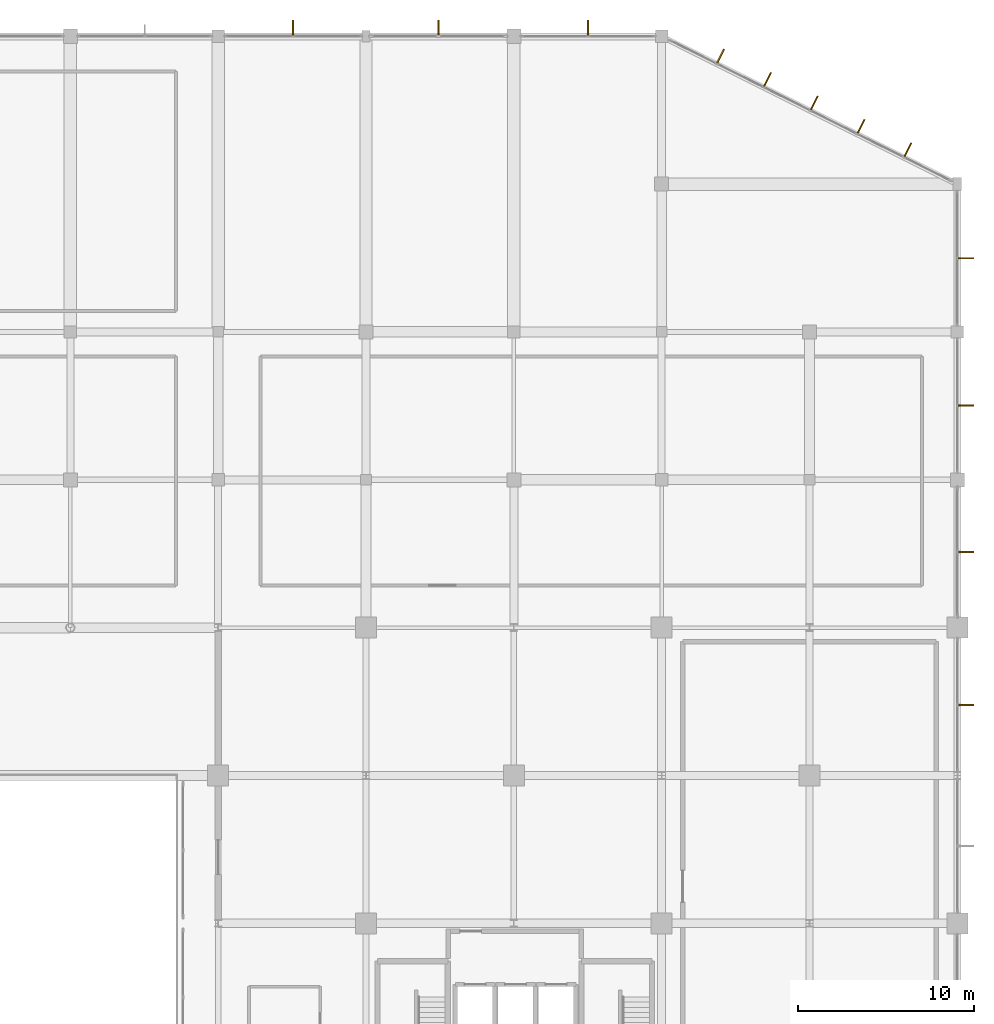
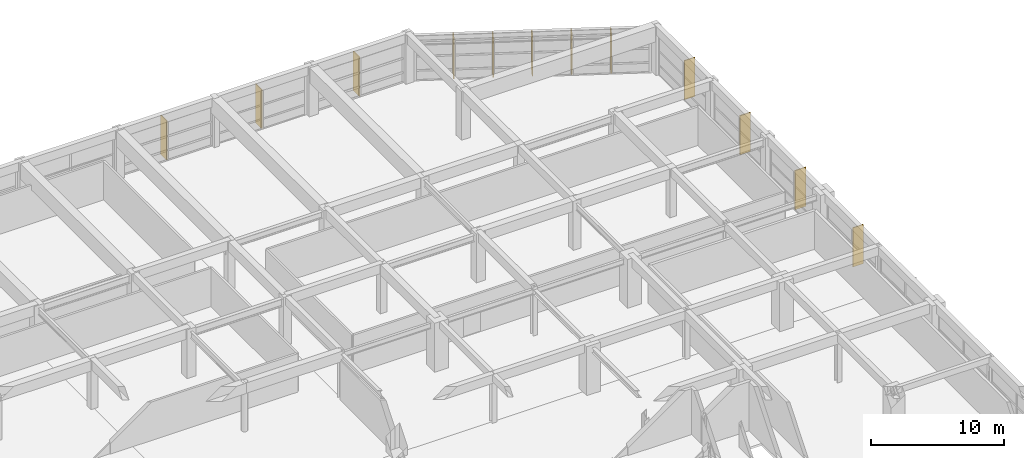
# One storey, part 65 of 65: 12 shading devices.
"""IFC4 building model written with IfcOpenShell, lengths in metres."""

from ifc_helpers import new_model, si_unit, direction, frame, origin, origin_2d, place, context, subcontext, project, spatial, rectangle, extrude, material, type_object, element, save


model = new_model("IFC4")

# Units and contexts
model_context = context("Model", 3, precision=1e-05, world=origin(), true_north=direction((0.0, 1.0)))
body_context = subcontext(model_context, "Body", "Model", "MODEL_VIEW")
ifc_project = project(units=[si_unit("LENGTHUNIT", "METRE"), si_unit("AREAUNIT", "SQUARE_METRE"), si_unit("VOLUMEUNIT", "CUBIC_METRE"), si_unit("PLANEANGLEUNIT", "RADIAN"), si_unit("MASSUNIT", "GRAM", prefix="KILO")], contexts=[model_context])

# Site, building, storey
site_placement = place(None, origin())
site = spatial("IfcSite", under=ifc_project, at=site_placement, CompositionType="ELEMENT")
building_placement = place(site_placement, origin())
building = spatial("IfcBuilding", under=site, at=building_placement, Name="Xuanlan Plaza Opera House", CompositionType="ELEMENT")
storey_placement = place(building_placement, frame((0.0, 0.0, 5.39990234375)))
storey = spatial("IfcBuildingStorey", under=building, at=storey_placement, Name="L01", CompositionType="ELEMENT", Elevation=5.39990234375)

# Shading devices
ifc_material = material(Name="Anodised Aluminium 6063-T6", Category="aluminium")
shading_device_type = type_object("IfcShadingDeviceType", Name="ENV-SHD-BRS02", PredefinedType="JALOUSIE", material=ifc_material)
for number, where, z_axis, x_axis, name in (
    (1, (168.465087890625, 79.603515625, 0.0400390625), (0.0, 0.0, 1.0), (1.0, 0.0, 0.0), "Parametric Sunshade Fin L01-0067"),
    (2, (168.465087890625, 88.300048828125, 0.0400390625), (0.0, 0.0, 1.0), (1.0, 0.0, 0.0), "Parametric Sunshade Fin L01-0068"),
    (3, (168.465087890625, 96.625, 0.0400390625), (0.0, 0.0, 1.0), (1.0, 0.0, 0.0), "Parametric Sunshade Fin L01-0069"),
    (4, (168.465087890625, 104.987548828125, 0.0400390625), (0.0, 0.0, 1.0), (1.0, 0.0, 0.0), "Parametric Sunshade Fin L01-0070"),
    (5, (165.174560546875, 111.132568359375, 0.0400390625), (0.0, 0.0, 1.0), (0.447290848419, 0.89438856037, 0.0), "Parametric Sunshade Fin L01-0071"),
    (6, (162.51611328125, 112.4619140625, 0.0400390625), (0.0, 0.0, 1.0), (0.447290848419, 0.89438856037, 0.0), "Parametric Sunshade Fin L01-0072"),
    (7, (159.85791015625, 113.791015625, 0.0400390625), (0.0, 0.0, 1.0), (0.447290848419, 0.89438856037, 0.0), "Parametric Sunshade Fin L01-0073"),
    (8, (157.19970703125, 115.1201171875, 0.0400390625), (0.0, 0.0, 1.0), (0.447290848419, 0.89438856037, 0.0), "Parametric Sunshade Fin L01-0074"),
    (9, (154.54150390625, 116.44921875, 0.0400390625), (0.0, 0.0, 1.0), (0.447290848419, 0.89438856037, 0.0), "Parametric Sunshade Fin L01-0075"),
    (10, (147.02490234375, 118.06494140625, 0.0400390625), (0.0, 0.0, 1.0), (0.0, 1.0, 0.0), "Parametric Sunshade Fin L01-0076"),
    (11, (138.512451171875, 118.06494140625, 0.0400390625), (0.0, 0.0, 1.0), (0.0, 1.0, 0.0), "Parametric Sunshade Fin L01-0077"),
    (12, (130.262451171875, 118.06494140625, 0.0400390625), (0.0, 0.0, 1.0), (0.0, 1.0, 0.0), "Parametric Sunshade Fin L01-0078"),
):
    element("IfcShadingDevice", number, at=place(storey_placement, frame(where, z_axis=z_axis, x_axis=x_axis)), inside=storey, type_object=shading_device_type, Name=name, PredefinedType="JALOUSIE", context=body_context, shape_type="SweptSolid", body=[
        extrude(rectangle(XDim=0.919921875, YDim=0.080078125, at=origin_2d()), origin(), (0.0, 0.0, 1.0), 3.60009765625),
    ])

save(model, "model.ifc")
